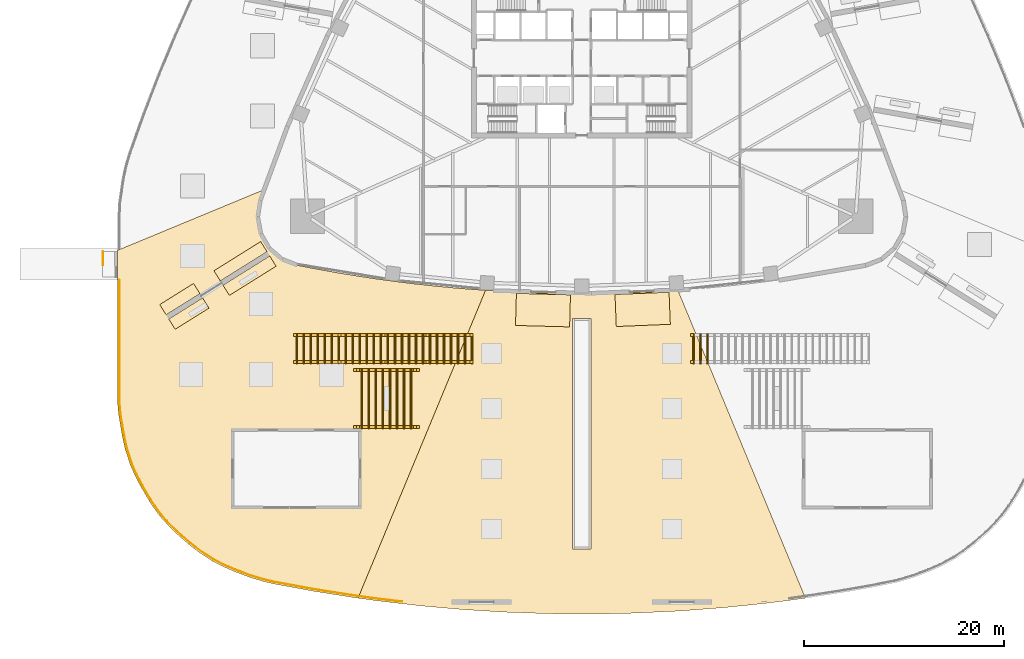
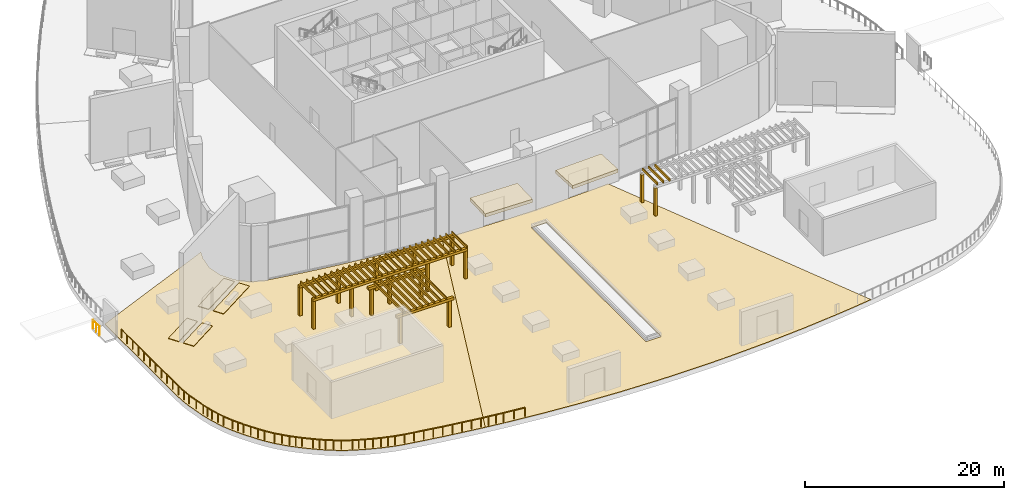
# One storey, part 14 of 20: 57 shading devices, 8 coverings, 2 railings.
"""IFC4 building model written with IfcOpenShell, lengths in metres."""

from ifc_helpers import new_model, si_unit, direction, frame, origin, origin_2d, place, context, subcontext, project, spatial, polyline, rectangle, circle, outline, extrude, material, layer, layer_set, type_object, element, save


model = new_model("IFC4")

# Units and contexts
model_context = context("Model", 3, precision=1e-05, world=origin(), true_north=direction((0.0, 1.0)))
body_context = subcontext(model_context, "Body", "Model", "MODEL_VIEW")
ifc_project = project(units=[si_unit("LENGTHUNIT", "METRE"), si_unit("AREAUNIT", "SQUARE_METRE"), si_unit("VOLUMEUNIT", "CUBIC_METRE"), si_unit("PLANEANGLEUNIT", "RADIAN"), si_unit("MASSUNIT", "GRAM", prefix="KILO")], contexts=[model_context])

# Site, building, storey
site_placement = place(None, origin())
site = spatial("IfcSite", under=ifc_project, at=site_placement, CompositionType="ELEMENT")
building_placement = place(site_placement, origin())
building = spatial("IfcBuilding", under=site, at=building_placement, Name="Sierra Prisma Convention Tower", CompositionType="ELEMENT")
storey_placement = place(building_placement, frame((0.0, 0.0, 9.0)))
storey = spatial("IfcBuildingStorey", under=building, at=storey_placement, Name="L01", CompositionType="ELEMENT", Elevation=9.0)

# Railing
ifc_material_1 = material(Name="Bronze anodised aluminium", Category="aluminium")
railing_type_1 = type_object("IfcRailingType", Name="Deck guard 1100", PredefinedType="GUARDRAIL", material=ifc_material_1)
railing_1_placement = place(storey_placement, frame((-46.154541015625, -22.175048828125, 0.0)))
element("IfcRailing", 1, at=railing_1_placement, inside=storey, type_object=railing_type_1, Name="Deck guard 4", PredefinedType="GUARDRAIL", context=body_context, shape_type="SweptSolid", body=[
    extrude(circle(Radius=0.02392578125, at=origin_2d()), frame((0.0, 0.0, 1.076171875), z_axis=(0.0, -1.0, 0.0), x_axis=(1.0, 0.0, 0.0)), (0.0, 0.0, 1.0), 11.453369140625),
    extrude(circle(Radius=0.02392578125, at=origin_2d()), frame((0.0, -11.453369140625, 1.076171875), z_axis=(0.035724844531, -0.999361664005, 0.0), x_axis=(0.999361664005, 0.035724844531, 0.0)), (0.0, 0.0, 1.0), 1.045654296875),
    extrude(circle(Radius=0.02392578125, at=origin_2d()), frame((0.037353515625, -12.498291015625, 1.076171875), z_axis=(0.091752258581, -0.995781865192, 0.0), x_axis=(0.995781865192, 0.091752258581, 0.0)), (0.0, 0.0, 1.0), 0.90478515625),
    extrude(circle(Radius=0.02392578125, at=origin_2d()), frame((0.120361328125, -13.399169921875, 1.076171875), z_axis=(0.165861344799, -0.986149083203, 0.0), x_axis=(0.986149083203, 0.165861344799, 0.0)), (0.0, 0.0, 1.0), 2.2197265625),
    extrude(circle(Radius=0.02392578125, at=origin_2d()), frame((0.488525390625, -15.588134765625, 1.076171875), z_axis=(0.226120064444, -0.97409943869, 0.0), x_axis=(0.97409943869, 0.226120064444, 0.0)), (0.0, 0.0, 1.0), 1.287109375),
    extrude(circle(Radius=0.02392578125, at=origin_2d()), frame((0.779541015625, -16.841796875, 1.076171875), z_axis=(0.307932423148, -0.951408231399, 0.0), x_axis=(0.951408231399, 0.307932423148, 0.0)), (0.0, 0.0, 1.0), 1.56494140625),
    extrude(circle(Radius=0.02392578125, at=origin_2d()), frame((1.261474609375, -18.330810546875, 1.076171875), z_axis=(0.398798102497, -0.917038752423, 0.0), x_axis=(0.917038752423, 0.398798102497, 0.0)), (0.0, 0.0, 1.0), 1.115966796875),
    extrude(circle(Radius=0.02392578125, at=origin_2d()), frame((1.70654296875, -19.354248046875, 1.076171875), z_axis=(0.46109633943, -0.887350080726, 0.0), x_axis=(0.887350080726, 0.46109633943, 0.0)), (0.0, 0.0, 1.0), 1.289306640625),
    extrude(circle(Radius=0.02392578125, at=origin_2d()), frame((2.301025390625, -20.498291015625, 1.076171875), z_axis=(0.508225335859, -0.861224133423, 0.0), x_axis=(0.861224133423, 0.508225335859, 0.0)), (0.0, 0.0, 1.0), 1.681396484375),
    extrude(circle(Radius=0.02392578125, at=origin_2d()), frame((3.155517578125, -21.9462890625, 1.076171875), z_axis=(0.548229480753, -0.836327947897, 0.0), x_axis=(0.836327947897, 0.548229480753, 0.0)), (0.0, 0.0, 1.0), 0.724609375),
    extrude(circle(Radius=0.02392578125, at=origin_2d()), frame((3.552734375, -22.55224609375, 1.076171875), z_axis=(0.594778055447, -0.803889958115, 0.0), x_axis=(0.803889958115, 0.594778055447, 0.0)), (0.0, 0.0, 1.0), 1.1171875),
    extrude(circle(Radius=0.02392578125, at=origin_2d()), frame((4.21728515625, -23.450439453125, 1.076171875), z_axis=(0.669912101258, -0.742440419555, 0.0), x_axis=(0.742440419555, 0.669912101258, 0.0)), (0.0, 0.0, 1.0), 1.565185546875),
    extrude(circle(Radius=0.02392578125, at=origin_2d()), frame((5.265869140625, -24.612548828125, 1.076171875), z_axis=(0.73057625083, -0.682831122404, 0.0), x_axis=(0.682831122404, 0.73057625083, 0.0)), (0.0, 0.0, 1.0), 1.28857421875),
    extrude(circle(Radius=0.02392578125, at=origin_2d()), frame((6.207275390625, -25.492431640625, 1.076171875), z_axis=(0.760182335317, -0.649709794502, 0.0), x_axis=(0.649709794502, 0.760182335317, 0.0)), (0.0, 0.0, 1.0), 1.115966796875),
    extrude(circle(Radius=0.02392578125, at=origin_2d()), frame((7.0556640625, -26.217529296875, 1.076171875), z_axis=(0.788279924198, -0.615316797355, 0.0), x_axis=(0.615316797355, 0.788279924198, 0.0)), (0.0, 0.0, 1.0), 1.288818359375),
    extrude(circle(Radius=0.02392578125, at=origin_2d()), frame((8.071533203125, -27.010498046875, 1.076171875), z_axis=(0.837694377526, -0.546139295292, 0.0), x_axis=(0.546139295292, 0.837694377526, 0.0)), (0.0, 0.0, 1.0), 1.56494140625),
    extrude(circle(Radius=0.02392578125, at=origin_2d()), frame((9.382568359375, -27.865234375, 1.076171875), z_axis=(0.886639449042, -0.462461336115, 0.0), x_axis=(0.462461336115, 0.886639449042, 0.0)), (0.0, 0.0, 1.0), 1.115966796875),
    extrude(circle(Radius=0.02392578125, at=origin_2d()), frame((10.3720703125, -28.38134765625, 1.076171875), z_axis=(0.916599927657, -0.399805668569, 0.0), x_axis=(0.399805668569, 0.916599927657, 0.0)), (0.0, 0.0, 1.0), 1.289794921875),
    extrude(circle(Radius=0.02392578125, at=origin_2d()), frame((11.55419921875, -28.89697265625, 1.076171875), z_axis=(0.93544547986, -0.353471009008, 0.0), x_axis=(0.353471009008, 0.93544547986, 0.0)), (0.0, 0.0, 1.0), 1.61767578125),
    extrude(circle(Radius=0.02392578125, at=origin_2d()), frame((13.0673828125, -29.46875, 1.076171875), z_axis=(0.956442118795, -0.291922033075, 0.0), x_axis=(0.291922033075, 0.956442118795, 0.0)), (0.0, 0.0, 1.0), 1.443603515625),
    extrude(circle(Radius=0.02392578125, at=origin_2d()), frame((14.447998046875, -29.89013671875, 1.076171875), z_axis=(0.974795117112, -0.223101949017, 0.0), x_axis=(0.223101949017, 0.974795117112, 0.0)), (0.0, 0.0, 1.0), 1.004638671875),
    extrude(circle(Radius=0.02392578125, at=origin_2d()), frame((15.42724609375, -30.1142578125, 1.076171875), z_axis=(0.9833442676, -0.181752720416, 0.0), x_axis=(0.181752720416, 0.9833442676, 0.0)), (0.0, 0.0, 1.0), 4.052490234375),
    extrude(circle(Radius=0.02392578125, at=origin_2d()), frame((19.412353515625, -30.850830078125, 1.076171875), z_axis=(0.987767289941, -0.155935181797, 0.0), x_axis=(0.155935181797, 0.987767289941, 0.0)), (0.0, 0.0, 1.0), 4.119140625),
    extrude(circle(Radius=0.02392578125, at=origin_2d()), frame((23.481201171875, -31.4931640625, 1.076171875), z_axis=(0.990754853284, -0.135664367811, 0.0), x_axis=(0.135664367811, 0.990754853284, 0.0)), (0.0, 0.0, 1.0), 2.411376953125),
    extrude(circle(Radius=0.02392578125, at=origin_2d()), frame((25.870361328125, -31.8203125, 1.076171875), z_axis=(0.993387531872, -0.114809457454, 0.0), x_axis=(0.114809457454, 0.993387531872, 0.0)), (0.0, 0.0, 1.0), 2.349853515625),
    extrude(circle(Radius=0.02099609375, at=origin_2d()), origin(), (0.0, 0.0, 1.0), 1.052001953125),
    extrude(circle(Radius=0.02099609375, at=origin_2d()), frame((0.0, -1.145263671875, 0.0)), (0.0, 0.0, 1.0), 1.052001953125),
    extrude(circle(Radius=0.02099609375, at=origin_2d()), frame((0.0, -2.290771484375, 0.0)), (0.0, 0.0, 1.0), 1.052001953125),
    extrude(circle(Radius=0.02099609375, at=origin_2d()), frame((0.0, -3.43603515625, 0.0)), (0.0, 0.0, 1.0), 1.052001953125),
    extrude(circle(Radius=0.02099609375, at=origin_2d()), frame((0.0, -4.581298828125, 0.0)), (0.0, 0.0, 1.0), 1.052001953125),
    extrude(circle(Radius=0.02099609375, at=origin_2d()), frame((0.0, -5.7265625, 0.0)), (0.0, 0.0, 1.0), 1.052001953125),
    extrude(circle(Radius=0.02099609375, at=origin_2d()), frame((0.0, -6.8720703125, 0.0)), (0.0, 0.0, 1.0), 1.052001953125),
    extrude(circle(Radius=0.02099609375, at=origin_2d()), frame((0.0, -8.017333984375, 0.0)), (0.0, 0.0, 1.0), 1.052001953125),
    extrude(circle(Radius=0.02099609375, at=origin_2d()), frame((0.0, -9.16259765625, 0.0)), (0.0, 0.0, 1.0), 1.052001953125),
    extrude(circle(Radius=0.02099609375, at=origin_2d()), frame((0.0, -10.30810546875, 0.0)), (0.0, 0.0, 1.0), 1.052001953125),
    extrude(circle(Radius=0.02099609375, at=origin_2d()), frame((0.0, -11.453369140625, 0.0)), (0.0, 0.0, 1.0), 1.052001953125),
    extrude(circle(Radius=0.02099609375, at=origin_2d()), frame((0.037353515625, -12.498291015625, 0.0)), (0.0, 0.0, 1.0), 1.052001953125),
    extrude(circle(Radius=0.02099609375, at=origin_2d()), frame((0.120361328125, -13.399169921875, 0.0)), (0.0, 0.0, 1.0), 1.052001953125),
    extrude(circle(Radius=0.02099609375, at=origin_2d()), frame((0.304443359375, -14.49365234375, 0.0)), (0.0, 0.0, 1.0), 1.052001953125),
    extrude(circle(Radius=0.02099609375, at=origin_2d()), frame((0.488525390625, -15.588134765625, 0.0)), (0.0, 0.0, 1.0), 1.052001953125),
    extrude(circle(Radius=0.02099609375, at=origin_2d()), frame((0.634033203125, -16.21484375, 0.0)), (0.0, 0.0, 1.0), 1.052001953125),
    extrude(circle(Radius=0.02099609375, at=origin_2d()), frame((0.779541015625, -16.841796875, 0.0)), (0.0, 0.0, 1.0), 1.052001953125),
    extrude(circle(Radius=0.02099609375, at=origin_2d()), frame((1.0205078125, -17.58642578125, 0.0)), (0.0, 0.0, 1.0), 1.052001953125),
    extrude(circle(Radius=0.02099609375, at=origin_2d()), frame((1.261474609375, -18.330810546875, 0.0)), (0.0, 0.0, 1.0), 1.052001953125),
    extrude(circle(Radius=0.02099609375, at=origin_2d()), frame((1.70654296875, -19.354248046875, 0.0)), (0.0, 0.0, 1.0), 1.052001953125),
    extrude(circle(Radius=0.02099609375, at=origin_2d()), frame((2.00390625, -19.92626953125, 0.0)), (0.0, 0.0, 1.0), 1.052001953125),
    extrude(circle(Radius=0.02099609375, at=origin_2d()), frame((2.301025390625, -20.498291015625, 0.0)), (0.0, 0.0, 1.0), 1.052001953125),
    extrude(circle(Radius=0.02099609375, at=origin_2d()), frame((2.728271484375, -21.22216796875, 0.0)), (0.0, 0.0, 1.0), 1.052001953125),
    extrude(circle(Radius=0.02099609375, at=origin_2d()), frame((3.155517578125, -21.9462890625, 0.0)), (0.0, 0.0, 1.0), 1.052001953125),
    extrude(circle(Radius=0.02099609375, at=origin_2d()), frame((3.552734375, -22.55224609375, 0.0)), (0.0, 0.0, 1.0), 1.052001953125),
    extrude(circle(Radius=0.02099609375, at=origin_2d()), frame((4.21728515625, -23.450439453125, 0.0)), (0.0, 0.0, 1.0), 1.052001953125),
    extrude(circle(Radius=0.02099609375, at=origin_2d()), frame((4.74169921875, -24.031494140625, 0.0)), (0.0, 0.0, 1.0), 1.052001953125),
    extrude(circle(Radius=0.02099609375, at=origin_2d()), frame((5.265869140625, -24.612548828125, 0.0)), (0.0, 0.0, 1.0), 1.052001953125),
    extrude(circle(Radius=0.02099609375, at=origin_2d()), frame((5.736572265625, -25.052490234375, 0.0)), (0.0, 0.0, 1.0), 1.052001953125),
    extrude(circle(Radius=0.02099609375, at=origin_2d()), frame((6.207275390625, -25.492431640625, 0.0)), (0.0, 0.0, 1.0), 1.052001953125),
    extrude(circle(Radius=0.02099609375, at=origin_2d()), frame((7.0556640625, -26.217529296875, 0.0)), (0.0, 0.0, 1.0), 1.052001953125),
    extrude(circle(Radius=0.02099609375, at=origin_2d()), frame((7.5634765625, -26.614013671875, 0.0)), (0.0, 0.0, 1.0), 1.052001953125),
    extrude(circle(Radius=0.02099609375, at=origin_2d()), frame((8.071533203125, -27.010498046875, 0.0)), (0.0, 0.0, 1.0), 1.052001953125),
    extrude(circle(Radius=0.02099609375, at=origin_2d()), frame((8.72705078125, -27.43798828125, 0.0)), (0.0, 0.0, 1.0), 1.052001953125),
    extrude(circle(Radius=0.02099609375, at=origin_2d()), frame((9.382568359375, -27.865234375, 0.0)), (0.0, 0.0, 1.0), 1.052001953125),
    extrude(circle(Radius=0.02099609375, at=origin_2d()), frame((10.3720703125, -28.38134765625, 0.0)), (0.0, 0.0, 1.0), 1.052001953125),
    extrude(circle(Radius=0.02099609375, at=origin_2d()), frame((10.963134765625, -28.63916015625, 0.0)), (0.0, 0.0, 1.0), 1.052001953125),
    extrude(circle(Radius=0.02099609375, at=origin_2d()), frame((11.55419921875, -28.89697265625, 0.0)), (0.0, 0.0, 1.0), 1.052001953125),
    extrude(circle(Radius=0.02099609375, at=origin_2d()), frame((12.310791015625, -29.182861328125, 0.0)), (0.0, 0.0, 1.0), 1.052001953125),
    extrude(circle(Radius=0.02099609375, at=origin_2d()), frame((13.0673828125, -29.46875, 0.0)), (0.0, 0.0, 1.0), 1.052001953125),
    extrude(circle(Radius=0.02099609375, at=origin_2d()), frame((13.7578125, -29.679443359375, 0.0)), (0.0, 0.0, 1.0), 1.052001953125),
    extrude(circle(Radius=0.02099609375, at=origin_2d()), frame((14.447998046875, -29.89013671875, 0.0)), (0.0, 0.0, 1.0), 1.052001953125),
    extrude(circle(Radius=0.02099609375, at=origin_2d()), frame((15.42724609375, -30.1142578125, 0.0)), (0.0, 0.0, 1.0), 1.052001953125),
    extrude(circle(Radius=0.02099609375, at=origin_2d()), frame((16.423583984375, -30.29833984375, 0.0)), (0.0, 0.0, 1.0), 1.052001953125),
    extrude(circle(Radius=0.02099609375, at=origin_2d()), frame((17.419921875, -30.482421875, 0.0)), (0.0, 0.0, 1.0), 1.052001953125),
    extrude(circle(Radius=0.02099609375, at=origin_2d()), frame((18.416015625, -30.666748046875, 0.0)), (0.0, 0.0, 1.0), 1.052001953125),
    extrude(circle(Radius=0.02099609375, at=origin_2d()), frame((19.412353515625, -30.850830078125, 0.0)), (0.0, 0.0, 1.0), 1.052001953125),
    extrude(circle(Radius=0.02099609375, at=origin_2d()), frame((20.4296875, -31.011474609375, 0.0)), (0.0, 0.0, 1.0), 1.052001953125),
    extrude(circle(Radius=0.02099609375, at=origin_2d()), frame((21.44677734375, -31.171875, 0.0)), (0.0, 0.0, 1.0), 1.052001953125),
    extrude(circle(Radius=0.02099609375, at=origin_2d()), frame((22.4638671875, -31.33251953125, 0.0)), (0.0, 0.0, 1.0), 1.052001953125),
    extrude(circle(Radius=0.02099609375, at=origin_2d()), frame((23.481201171875, -31.4931640625, 0.0)), (0.0, 0.0, 1.0), 1.052001953125),
    extrude(circle(Radius=0.02099609375, at=origin_2d()), frame((24.277587890625, -31.602294921875, 0.0)), (0.0, 0.0, 1.0), 1.052001953125),
    extrude(circle(Radius=0.02099609375, at=origin_2d()), frame((25.073974609375, -31.711181640625, 0.0)), (0.0, 0.0, 1.0), 1.052001953125),
    extrude(circle(Radius=0.02099609375, at=origin_2d()), frame((25.870361328125, -31.8203125, 0.0)), (0.0, 0.0, 1.0), 1.052001953125),
    extrude(circle(Radius=0.02099609375, at=origin_2d()), frame((27.03759765625, -31.955078125, 0.0)), (0.0, 0.0, 1.0), 1.052001953125),
    extrude(circle(Radius=0.02099609375, at=origin_2d()), frame((28.20458984375, -32.090087890625, 0.0)), (0.0, 0.0, 1.0), 1.052001953125),
])

# Coverings
ifc_material_2 = material(Name="Natural limestone pavers", Category="masonry")
ifc_layer_1 = layer(ifc_material_2, 0.06005859375)
ifc_layer_set_1 = layer_set([ifc_layer_1], Name="Deck paving, stone pavers")
covering_type_1 = type_object("IfcCoveringType", Name="Deck paving, stone pavers", PredefinedType="FLOORING", material=ifc_layer_set_1)
covering_1_placement = place(storey_placement, frame((0.0, 0.0, -0.06005859375)))
element("IfcCovering", 2, at=covering_1_placement, inside=storey, type_object=covering_type_1, Name="Deck paving 1", PredefinedType="FLOORING", context=body_context, shape_type="SweptSolid", body=[
    extrude(outline(polyline([(-3.364990234375, -55.4638671875), (-0.949462890625, -55.49658203125), (3.1064453125, -55.468994140625), (5.262939453125, -55.412109375), (9.762939453125, -55.198974609375), (14.1328125, -54.868408203125), (18.167724609375, -54.455322265625), (20.376708984375, -54.185302734375), (22.3330078125, -53.916748046875), (9.6005859375, -23.177734375), (8.845458984375, -23.229248046875), (6.88134765625, -23.336181640625), (4.916259765625, -23.41650390625), (2.9501953125, -23.469970703125), (0.9833984375, -23.49658203125), (-0.9833984375, -23.49658203125), (-2.9501953125, -23.469970703125), (-4.916259765625, -23.41650390625), (-6.88134765625, -23.336181640625), (-8.845458984375, -23.229248046875), (-9.6005859375, -23.177734375), (-22.3330078125, -53.916748046875), (-20.30908203125, -54.19384765625), (-16.0908203125, -54.681396484375), (-11.9150390625, -55.051513671875), (-7.6767578125, -55.313720703125), (-3.364990234375, -55.4638671875)]), holes=[polyline([(0.89990234375, -49.0), (-0.89990234375, -49.0), (-0.89990234375, -26.0), (0.89990234375, -26.0), (0.89990234375, -49.0)])]), origin(), (0.0, 0.0, 1.0), 0.06005859375),
])
covering_2_placement = place(storey_placement, frame((0.0, 0.0, -0.06005859375)))
element("IfcCovering", 3, at=covering_2_placement, inside=storey, type_object=covering_type_1, Name="Deck paving 8", PredefinedType="FLOORING", context=body_context, shape_type="SweptSolid", body=[
    extrude(outline(polyline([(-22.3330078125, -53.916748046875), (-9.6005859375, -23.177734375), (-10.8076171875, -23.095458984375), (-12.767822265625, -22.93505859375), (-14.725830078125, -22.748291015625), (-16.68115234375, -22.53466796875), (-18.63330078125, -22.29443359375), (-20.581787109375, -22.027587890625), (-22.52685546875, -21.734375), (-24.467529296875, -21.414794921875), (-26.403564453125, -21.06884765625), (-28.3349609375, -20.696533203125), (-29.913818359375, -20.089111328125), (-31.199951171875, -18.989990234375), (-32.045654296875, -17.52490234375), (-32.354736328125, -15.861572265625), (-32.091064453125, -14.1904296875), (-31.728515625, -13.142333984375), (-46.3544921875, -19.20068359375), (-46.3544921875, -33.632080078125), (-46.31689453125, -34.686279296875), (-46.232666015625, -35.60009765625), (-45.8623046875, -37.802490234375), (-45.568115234375, -39.0703125), (-45.080322265625, -40.576904296875), (-44.628662109375, -41.615478515625), (-44.0283203125, -42.770263671875), (-43.1689453125, -44.22705078125), (-42.765869140625, -44.841796875), (-42.09228515625, -45.75244140625), (-41.031494140625, -46.927978515625), (-40.08056640625, -47.816650390625), (-39.225341796875, -48.547607421875), (-38.199462890625, -49.348388671875), (-36.873046875, -50.213134765625), (-35.86865234375, -50.73681640625), (-34.67578125, -51.25732421875), (-33.15185546875, -51.833251953125), (-31.758056640625, -52.258544921875), (-30.767822265625, -52.4853515625), (-26.776123046875, -53.222900390625), (-22.702392578125, -53.8662109375), (-22.3330078125, -53.916748046875)])), origin(), (0.0, 0.0, 1.0), 0.06005859375),
])
ifc_material_3 = material(Name="Crushed limestone gravel", Category="masonry")
ifc_layer_2 = layer(ifc_material_3, 0.050048828125)
ifc_layer_set_2 = layer_set([ifc_layer_2], Name="Gravel border")
covering_type_2 = type_object("IfcCoveringType", Name="Gravel border", PredefinedType="FLOORING", material=ifc_layer_set_2)
covering_3_placement = place(storey_placement, origin())
element("IfcCovering", 4, at=covering_3_placement, inside=storey, type_object=covering_type_2, Name="Wind-scour gravel border", PredefinedType="FLOORING", context=body_context, shape_type="SweptSolid", body=[
    extrude(outline(polyline([(-31.1494140625, -19.75927734375), (-35.81103515625, -22.672119140625), (-35.17529296875, -23.689697265625), (-30.513671875, -20.77685546875), (-31.1494140625, -19.75927734375)])), origin(), (0.0, 0.0, 1.0), 0.050048828125),
])
covering_4_placement = place(storey_placement, origin())
element("IfcCovering", 5, at=covering_4_placement, inside=storey, type_object=covering_type_2, Name="Wind-scour gravel border", PredefinedType="FLOORING", context=body_context, shape_type="SweptSolid", body=[
    extrude(outline(polyline([(-31.41455078125, -19.335205078125), (-36.076171875, -22.248046875), (-36.7119140625, -21.23046875), (-32.05029296875, -18.3173828125), (-31.41455078125, -19.335205078125)])), origin(), (0.0, 0.0, 1.0), 0.050048828125),
])
covering_5_placement = place(storey_placement, origin())
element("IfcCovering", 6, at=covering_5_placement, inside=storey, type_object=covering_type_2, Name="Wind-scour gravel border", PredefinedType="FLOORING", context=body_context, shape_type="SweptSolid", body=[
    extrude(outline(polyline([(-37.846435546875, -23.94384765625), (-41.22216796875, -26.05322265625), (-40.586181640625, -27.07080078125), (-37.210693359375, -24.96142578125), (-37.846435546875, -23.94384765625)])), origin(), (0.0, 0.0, 1.0), 0.050048828125),
])
covering_6_placement = place(storey_placement, origin())
element("IfcCovering", 7, at=covering_6_placement, inside=storey, type_object=covering_type_2, Name="Wind-scour gravel border", PredefinedType="FLOORING", context=body_context, shape_type="SweptSolid", body=[
    extrude(outline(polyline([(-38.111328125, -23.52001953125), (-41.487060546875, -25.629150390625), (-42.123046875, -24.611572265625), (-38.747314453125, -22.502197265625), (-38.111328125, -23.52001953125)])), origin(), (0.0, 0.0, 1.0), 0.050048828125),
])
ifc_material_4 = material(Name="Lime plaster, terracotta pigment", Category="masonry")
ifc_layer_3 = layer(ifc_material_4, 0.300048828125)
ifc_layer_set_3 = layer_set([ifc_layer_3], Name="Plaster reveal frame")
covering_type_3 = type_object("IfcCoveringType", Name="Plaster reveal frame", PredefinedType="CLADDING", material=ifc_layer_set_3)
for number, where, z_axis, x_axis, name in (
    (8, (-3.8671875, -25.165283203125, 3.699951171875), (0.0, 0.0, 1.0), (-0.999629934375, 0.027202836272, 0.0), "Entrance portico canopy"),
    (9, (6.081787109375, -25.090087890625, 3.699951171875), (0.0, 0.0, 1.0), (-0.999167487746, -0.040796218352, 0.0), "Entrance portico canopy"),
):
    element("IfcCovering", number, at=place(storey_placement, frame(where, z_axis=z_axis, x_axis=x_axis)), inside=storey, type_object=covering_type_3, Name=name, PredefinedType="CLADDING", context=body_context, shape_type="SweptSolid", body=[
        extrude(rectangle(XDim=5.39990234375, YDim=3.199951171875, at=origin_2d()), origin(), (0.0, 0.0, 1.0), 0.39990234375),
    ])

# Railing
ifc_material_5 = material(Name="Stainless steel", Category="steel")
railing_type_2 = type_object("IfcRailingType", Name="Stair guard 1100", PredefinedType="GUARDRAIL", material=ifc_material_5)
railing_2_placement = place(storey_placement, frame((-47.8046875, -19.324951171875, 0.0)))
element("IfcRailing", 10, at=railing_2_placement, inside=storey, type_object=railing_type_2, Name="L01 EX1 top well guard 1", PredefinedType="GUARDRAIL", context=body_context, shape_type="SweptSolid", body=[
    extrude(circle(Radius=0.02392578125, at=origin_2d()), frame((0.0, 0.0, 1.076171875), z_axis=(0.0, -1.0, 0.0), x_axis=(1.0, 0.0, 0.0)), (0.0, 0.0, 1.0), 1.35009765625),
    extrude(circle(Radius=0.02099609375, at=origin_2d()), origin(), (0.0, 0.0, 1.0), 1.052001953125),
    extrude(circle(Radius=0.02099609375, at=origin_2d()), frame((0.0, -0.675048828125, 0.0)), (0.0, 0.0, 1.0), 1.052001953125),
    extrude(circle(Radius=0.02099609375, at=origin_2d()), frame((0.0, -1.35009765625, 0.0)), (0.0, 0.0, 1.0), 1.052001953125),
])

# Shading devices
for number, where, z_axis, x_axis, name in (
    (11, (11.0, -30.35009765625, 0.0), (0.0, 0.0, 1.0), (1.0, 0.0, 0.0), "Colonnade post"),
    (12, (11.0, -27.64990234375, 0.0), (0.0, 0.0, 1.0), (1.0, 0.0, 0.0), "Colonnade post"),
):
    element("IfcShadingDevice", number, at=place(storey_placement, frame(where, z_axis=z_axis, x_axis=x_axis)), inside=storey, Name=name, ObjectType="PERGOLA", PredefinedType="USERDEFINED", context=body_context, shape_type="SweptSolid", body=[
        extrude(rectangle(XDim=0.300048828125, YDim=0.300048828125, at=origin_2d()), origin(), (0.0, 0.0, 1.0), 3.39990234375),
    ])
for number, where, z_axis, x_axis, name in (
    (13, (11.14990234375, -29.0, 3.7001953125), (0.0, 0.0, 1.0), (1.0, 0.0, 0.0), "Colonnade slat"),
    (14, (11.85009765625, -29.0, 3.7001953125), (0.0, 0.0, 1.0), (1.0, 0.0, 0.0), "Colonnade slat"),
    (15, (12.550048828125, -29.0, 3.7001953125), (0.0, 0.0, 1.0), (1.0, 0.0, 0.0), "Colonnade slat"),
):
    element("IfcShadingDevice", number, at=place(storey_placement, frame(where, z_axis=z_axis, x_axis=x_axis)), inside=storey, Name=name, ObjectType="PERGOLA", PredefinedType="USERDEFINED", context=body_context, shape_type="SweptSolid", body=[
        extrude(rectangle(XDim=0.1201171875, YDim=3.0, at=origin_2d()), origin(), (0.0, 0.0, 1.0), 0.300048828125),
    ])
for number, where, z_axis, x_axis, name in (
    (16, (-11.0, -30.35009765625, 0.0), (0.0, 0.0, 1.0), (1.0, 0.0, 0.0), "Colonnade post"),
    (17, (-11.0, -27.64990234375, 0.0), (0.0, 0.0, 1.0), (1.0, 0.0, 0.0), "Colonnade post"),
    (18, (-15.39990234375, -30.35009765625, 0.0), (0.0, 0.0, 1.0), (1.0, 0.0, 0.0), "Colonnade post"),
    (19, (-15.39990234375, -27.64990234375, 0.0), (0.0, 0.0, 1.0), (1.0, 0.0, 0.0), "Colonnade post"),
    (20, (-19.800048828125, -30.35009765625, 0.0), (0.0, 0.0, 1.0), (1.0, 0.0, 0.0), "Colonnade post"),
    (21, (-19.800048828125, -27.64990234375, 0.0), (0.0, 0.0, 1.0), (1.0, 0.0, 0.0), "Colonnade post"),
    (22, (-24.199951171875, -30.35009765625, 0.0), (0.0, 0.0, 1.0), (1.0, 0.0, 0.0), "Colonnade post"),
    (23, (-24.199951171875, -27.64990234375, 0.0), (0.0, 0.0, 1.0), (1.0, 0.0, 0.0), "Colonnade post"),
    (24, (-28.60009765625, -30.35009765625, 0.0), (0.0, 0.0, 1.0), (1.0, 0.0, 0.0), "Colonnade post"),
    (25, (-28.60009765625, -27.64990234375, 0.0), (0.0, 0.0, 1.0), (1.0, 0.0, 0.0), "Colonnade post"),
):
    element("IfcShadingDevice", number, at=place(storey_placement, frame(where, z_axis=z_axis, x_axis=x_axis)), inside=storey, Name=name, ObjectType="PERGOLA", PredefinedType="USERDEFINED", context=body_context, shape_type="SweptSolid", body=[
        extrude(rectangle(XDim=0.300048828125, YDim=0.300048828125, at=origin_2d()), origin(), (0.0, 0.0, 1.0), 3.39990234375),
    ])
for number, where, z_axis, x_axis, name in (
    (26, (-19.800048828125, -30.35009765625, 3.39990234375), (0.0, 0.0, 1.0), (1.0, 0.0, 0.0), "Colonnade beam"),
    (27, (-19.800048828125, -27.64990234375, 3.39990234375), (0.0, 0.0, 1.0), (1.0, 0.0, 0.0), "Colonnade beam"),
):
    element("IfcShadingDevice", number, at=place(storey_placement, frame(where, z_axis=z_axis, x_axis=x_axis)), inside=storey, Name=name, ObjectType="PERGOLA", PredefinedType="USERDEFINED", context=body_context, shape_type="SweptSolid", body=[
        extrude(rectangle(XDim=17.89990234375, YDim=0.300048828125, at=origin_2d()), origin(), (0.0, 0.0, 1.0), 0.300048828125),
    ])
for number, where, z_axis, x_axis, name in (
    (28, (-28.449951171875, -29.0, 3.7001953125), (0.0, 0.0, 1.0), (1.0, 0.0, 0.0), "Colonnade slat"),
    (29, (-27.75, -29.0, 3.7001953125), (0.0, 0.0, 1.0), (1.0, 0.0, 0.0), "Colonnade slat"),
    (30, (-27.050048828125, -29.0, 3.7001953125), (0.0, 0.0, 1.0), (1.0, 0.0, 0.0), "Colonnade slat"),
    (31, (-26.35009765625, -29.0, 3.7001953125), (0.0, 0.0, 1.0), (1.0, 0.0, 0.0), "Colonnade slat"),
    (32, (-25.64990234375, -29.0, 3.7001953125), (0.0, 0.0, 1.0), (1.0, 0.0, 0.0), "Colonnade slat"),
    (33, (-24.949951171875, -29.0, 3.7001953125), (0.0, 0.0, 1.0), (1.0, 0.0, 0.0), "Colonnade slat"),
    (34, (-24.25, -29.0, 3.7001953125), (0.0, 0.0, 1.0), (1.0, 0.0, 0.0), "Colonnade slat"),
    (35, (-23.550048828125, -29.0, 3.7001953125), (0.0, 0.0, 1.0), (1.0, 0.0, 0.0), "Colonnade slat"),
    (36, (-22.85009765625, -29.0, 3.7001953125), (0.0, 0.0, 1.0), (1.0, 0.0, 0.0), "Colonnade slat"),
    (37, (-22.14990234375, -29.0, 3.7001953125), (0.0, 0.0, 1.0), (1.0, 0.0, 0.0), "Colonnade slat"),
    (38, (-21.449951171875, -29.0, 3.7001953125), (0.0, 0.0, 1.0), (1.0, 0.0, 0.0), "Colonnade slat"),
    (39, (-20.75, -29.0, 3.7001953125), (0.0, 0.0, 1.0), (1.0, 0.0, 0.0), "Colonnade slat"),
    (40, (-20.050048828125, -29.0, 3.7001953125), (0.0, 0.0, 1.0), (1.0, 0.0, 0.0), "Colonnade slat"),
    (41, (-19.35009765625, -29.0, 3.7001953125), (0.0, 0.0, 1.0), (1.0, 0.0, 0.0), "Colonnade slat"),
    (42, (-18.64990234375, -29.0, 3.7001953125), (0.0, 0.0, 1.0), (1.0, 0.0, 0.0), "Colonnade slat"),
    (43, (-17.949951171875, -29.0, 3.7001953125), (0.0, 0.0, 1.0), (1.0, 0.0, 0.0), "Colonnade slat"),
    (44, (-17.25, -29.0, 3.7001953125), (0.0, 0.0, 1.0), (1.0, 0.0, 0.0), "Colonnade slat"),
    (45, (-16.550048828125, -29.0, 3.7001953125), (0.0, 0.0, 1.0), (1.0, 0.0, 0.0), "Colonnade slat"),
    (46, (-15.85009765625, -29.0, 3.7001953125), (0.0, 0.0, 1.0), (1.0, 0.0, 0.0), "Colonnade slat"),
    (47, (-15.14990234375, -29.0, 3.7001953125), (0.0, 0.0, 1.0), (1.0, 0.0, 0.0), "Colonnade slat"),
    (48, (-14.449951171875, -29.0, 3.7001953125), (0.0, 0.0, 1.0), (1.0, 0.0, 0.0), "Colonnade slat"),
    (49, (-13.75, -29.0, 3.7001953125), (0.0, 0.0, 1.0), (1.0, 0.0, 0.0), "Colonnade slat"),
    (50, (-13.050048828125, -29.0, 3.7001953125), (0.0, 0.0, 1.0), (1.0, 0.0, 0.0), "Colonnade slat"),
    (51, (-12.35009765625, -29.0, 3.7001953125), (0.0, 0.0, 1.0), (1.0, 0.0, 0.0), "Colonnade slat"),
    (52, (-11.64990234375, -29.0, 3.7001953125), (0.0, 0.0, 1.0), (1.0, 0.0, 0.0), "Colonnade slat"),
    (53, (-10.949951171875, -29.0, 3.7001953125), (0.0, 0.0, 1.0), (1.0, 0.0, 0.0), "Colonnade slat"),
):
    element("IfcShadingDevice", number, at=place(storey_placement, frame(where, z_axis=z_axis, x_axis=x_axis)), inside=storey, Name=name, ObjectType="PERGOLA", PredefinedType="USERDEFINED", context=body_context, shape_type="SweptSolid", body=[
        extrude(rectangle(XDim=0.1201171875, YDim=3.0, at=origin_2d()), origin(), (0.0, 0.0, 1.0), 0.300048828125),
    ])
for number, where, z_axis, x_axis, name in (
    (54, (-22.35009765625, -36.85009765625, 0.0), (0.0, 0.0, 1.0), (1.0, 0.0, 0.0), "Pergola post"),
    (55, (-16.64990234375, -36.85009765625, 0.0), (0.0, 0.0, 1.0), (1.0, 0.0, 0.0), "Pergola post"),
    (56, (-16.64990234375, -31.14990234375, 0.0), (0.0, 0.0, 1.0), (1.0, 0.0, 0.0), "Pergola post"),
    (57, (-22.35009765625, -31.14990234375, 0.0), (0.0, 0.0, 1.0), (1.0, 0.0, 0.0), "Pergola post"),
):
    element("IfcShadingDevice", number, at=place(storey_placement, frame(where, z_axis=z_axis, x_axis=x_axis)), inside=storey, Name=name, ObjectType="PERGOLA", PredefinedType="USERDEFINED", context=body_context, shape_type="SweptSolid", body=[
        extrude(rectangle(XDim=0.300048828125, YDim=0.300048828125, at=origin_2d()), origin(), (0.0, 0.0, 1.0), 3.199951171875),
    ])
for number, where, z_axis, x_axis, name in (
    (58, (-19.5, -36.85009765625, 3.2001953125), (0.0, 0.0, 1.0), (1.0, 0.0, 0.0), "Pergola beam"),
    (59, (-19.5, -31.14990234375, 3.2001953125), (0.0, 0.0, 1.0), (1.0, 0.0, 0.0), "Pergola beam"),
):
    element("IfcShadingDevice", number, at=place(storey_placement, frame(where, z_axis=z_axis, x_axis=x_axis)), inside=storey, Name=name, ObjectType="PERGOLA", PredefinedType="USERDEFINED", context=body_context, shape_type="SweptSolid", body=[
        extrude(rectangle(XDim=6.60009765625, YDim=0.300048828125, at=origin_2d()), origin(), (0.0, 0.0, 1.0), 0.300048828125),
    ])
for number, where, z_axis, x_axis, name in (
    (60, (-21.949951171875, -34.0, 3.5), (0.0, 0.0, 1.0), (1.0, 0.0, 0.0), "Pergola slat"),
    (61, (-21.25, -34.0, 3.5), (0.0, 0.0, 1.0), (1.0, 0.0, 0.0), "Pergola slat"),
    (62, (-20.550048828125, -34.0, 3.5), (0.0, 0.0, 1.0), (1.0, 0.0, 0.0), "Pergola slat"),
    (63, (-19.85009765625, -34.0, 3.5), (0.0, 0.0, 1.0), (1.0, 0.0, 0.0), "Pergola slat"),
    (64, (-19.14990234375, -34.0, 3.5), (0.0, 0.0, 1.0), (1.0, 0.0, 0.0), "Pergola slat"),
    (65, (-18.449951171875, -34.0, 3.5), (0.0, 0.0, 1.0), (1.0, 0.0, 0.0), "Pergola slat"),
    (66, (-17.75, -34.0, 3.5), (0.0, 0.0, 1.0), (1.0, 0.0, 0.0), "Pergola slat"),
    (67, (-17.050048828125, -34.0, 3.5), (0.0, 0.0, 1.0), (1.0, 0.0, 0.0), "Pergola slat"),
):
    element("IfcShadingDevice", number, at=place(storey_placement, frame(where, z_axis=z_axis, x_axis=x_axis)), inside=storey, Name=name, ObjectType="PERGOLA", PredefinedType="USERDEFINED", context=body_context, shape_type="SweptSolid", body=[
        extrude(rectangle(XDim=0.1201171875, YDim=6.0, at=origin_2d()), origin(), (0.0, 0.0, 1.0), 0.300048828125),
    ])

save(model, "model.ifc")
